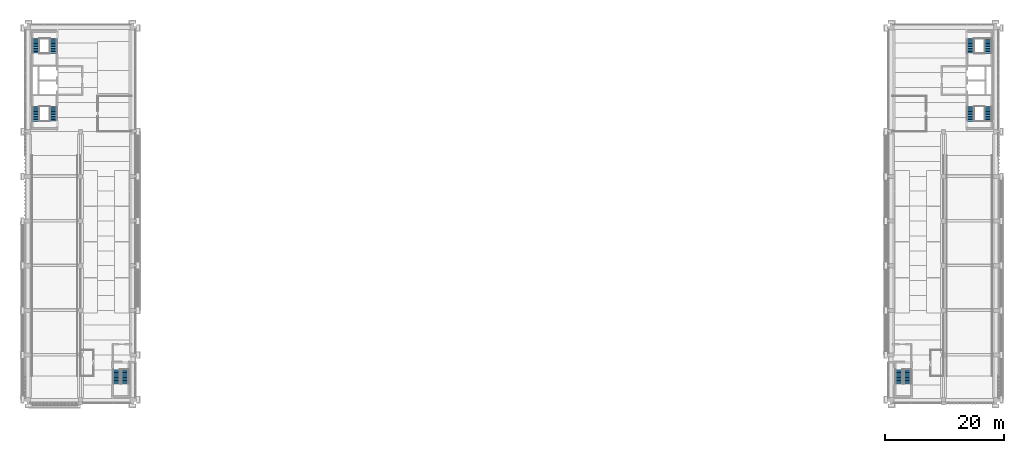
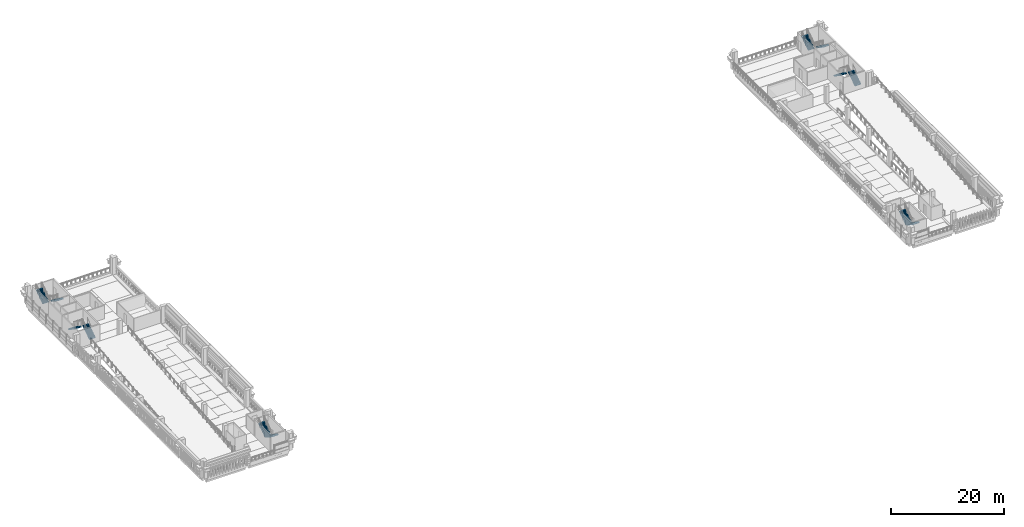
# One storey, part 11 of 25: 12 stair flights, 6 elements without a shape of their own.
"""IFC4 building model written with IfcOpenShell, lengths in metres."""

from ifc_helpers import new_model, si_unit, direction, frame, origin, place, context, subcontext, project, spatial, polyline, outline, extrude, material, type_object, element, aggregate, save


model = new_model("IFC4")

# Units and contexts
model_context = context("Model", 3, precision=1e-05, world=origin(), true_north=direction((0.0, 1.0)))
body_context = subcontext(model_context, "Body", "Model", "MODEL_VIEW")
ifc_project = project(units=[si_unit("LENGTHUNIT", "METRE"), si_unit("AREAUNIT", "SQUARE_METRE"), si_unit("VOLUMEUNIT", "CUBIC_METRE"), si_unit("PLANEANGLEUNIT", "RADIAN"), si_unit("MASSUNIT", "GRAM", prefix="KILO")], contexts=[model_context])

# Site, building, storey
site_placement = place(None, origin())
site = spatial("IfcSite", under=ifc_project, at=site_placement, CompositionType="ELEMENT")
building_placement = place(site_placement, origin())
building = spatial("IfcBuilding", under=site, at=building_placement, Name="Cour d'Honneur Mobility Palace", CompositionType="ELEMENT")
storey_placement = place(building_placement, frame((0.0, 0.0, 30.39990234375)))
storey = spatial("IfcBuildingStorey", under=building, at=storey_placement, Name="L08", CompositionType="ELEMENT", Elevation=30.39990234375)

# Stair, stair flights
ifc_material_1 = material(Name="Concrete C50", Category="concrete")
stair_type = type_object("IfcStairType", Name="Stair 20 risers", PredefinedType="HALF_TURN_STAIR", material=ifc_material_1)
stair_1_placement = place(storey_placement, origin())
stair_1 = element("IfcStair", 1, at=stair_1_placement, inside=storey, type_object=stair_type, Name="Stair ST-CW1", PredefinedType="HALF_TURN_STAIR")
ifc_material_2 = material(Name="Concrete C50", Category="concrete")
stair_flight_type = type_object("IfcStairFlightType", Name="Stair flight 1250", PredefinedType="STRAIGHT", material=ifc_material_2)
stair_flight_1_placement = place(storey_placement, frame((4.175048828125, 46.77490234375, 0.0), z_axis=(0.0, 0.0, 1.0), x_axis=(0.0, 1.0, 0.0)))
stair_flight_1 = element("IfcStairFlight", 2, at=stair_flight_1_placement, type_object=stair_flight_type, Name="ST-CW1 flight 1", NumberOfRisers=10, NumberOfTreads=9, PredefinedType="STRAIGHT", RiserHeight=0.185, TreadLength=0.27, context=body_context, shape_type="SweptSolid", body=[
    extrude(outline(polyline([(0.0, 0.0), (0.0, 0.18505859375), (0.27001953125, 0.18505859375), (0.27001953125, 0.3701171875), (0.5400390625, 0.3701171875), (0.5400390625, 0.554931640625), (0.81005859375, 0.554931640625), (0.81005859375, 0.739990234375), (1.080078125, 0.739990234375), (1.080078125, 0.925048828125), (1.35009765625, 0.925048828125), (1.35009765625, 1.110107421875), (1.6201171875, 1.110107421875), (1.6201171875, 1.294921875), (1.889892578125, 1.294921875), (1.889892578125, 1.47998046875), (2.159912109375, 1.47998046875), (2.159912109375, 1.6650390625), (2.429931640625, 1.6650390625), (2.47998046875, 1.6650390625), (2.47998046875, 1.4833984375), (0.26513671875, 0.0), (0.0, 0.0)])), frame((0.0, 0.625, 0.0), z_axis=(0.0, -1.0, 0.0), x_axis=(1.0, 0.0, 0.0)), (0.0, 0.0, 1.0), 1.25),
])
stair_flight_2_placement = place(storey_placement, frame((1.199951171875, 49.205078125, 1.85009765625), z_axis=(0.0, 0.0, 1.0), x_axis=(0.0, -1.0, 0.0)))
stair_flight_2 = element("IfcStairFlight", 3, at=stair_flight_2_placement, type_object=stair_flight_type, Name="ST-CW1 flight 2", NumberOfRisers=10, NumberOfTreads=9, PredefinedType="STRAIGHT", RiserHeight=0.185, TreadLength=0.27, context=body_context, shape_type="SweptSolid", body=[
    extrude(outline(polyline([(0.0, 0.0), (0.0, 0.18505859375), (0.27001953125, 0.18505859375), (0.27001953125, 0.3701171875), (0.5400390625, 0.3701171875), (0.5400390625, 0.554931640625), (0.81005859375, 0.554931640625), (0.81005859375, 0.739990234375), (1.080078125, 0.739990234375), (1.080078125, 0.925048828125), (1.35009765625, 0.925048828125), (1.35009765625, 1.110107421875), (1.6201171875, 1.110107421875), (1.6201171875, 1.294921875), (1.889892578125, 1.294921875), (1.889892578125, 1.47998046875), (2.159912109375, 1.47998046875), (2.159912109375, 1.6650390625), (2.429931640625, 1.6650390625), (2.47998046875, 1.6650390625), (2.47998046875, 1.4833984375), (0.26513671875, 0.0), (0.0, 0.0)])), frame((0.0, 0.625, 0.0), z_axis=(0.0, -1.0, 0.0), x_axis=(1.0, 0.0, 0.0)), (0.0, 0.0, 1.0), 1.25),
])
aggregate(stair_1, [stair_flight_1, stair_flight_2])

stair_2_placement = place(storey_placement, origin())
stair_2 = element("IfcStair", 4, at=stair_2_placement, inside=storey, type_object=stair_type, Name="Stair ST-CW2", PredefinedType="HALF_TURN_STAIR")
stair_flight_3_placement = place(storey_placement, frame((4.175048828125, 60.625, 0.0), z_axis=(0.0, 0.0, 1.0), x_axis=(0.0, -1.0, 0.0)))
stair_flight_3 = element("IfcStairFlight", 5, at=stair_flight_3_placement, type_object=stair_flight_type, Name="ST-CW2 flight 1", NumberOfRisers=10, NumberOfTreads=9, PredefinedType="STRAIGHT", RiserHeight=0.185, TreadLength=0.27, context=body_context, shape_type="SweptSolid", body=[
    extrude(outline(polyline([(0.0, 0.0), (0.0, 0.18505859375), (0.27001953125, 0.18505859375), (0.27001953125, 0.3701171875), (0.5400390625, 0.3701171875), (0.5400390625, 0.554931640625), (0.81005859375, 0.554931640625), (0.81005859375, 0.739990234375), (1.080078125, 0.739990234375), (1.080078125, 0.925048828125), (1.35009765625, 0.925048828125), (1.35009765625, 1.110107421875), (1.6201171875, 1.110107421875), (1.6201171875, 1.294921875), (1.889892578125, 1.294921875), (1.889892578125, 1.47998046875), (2.159912109375, 1.47998046875), (2.159912109375, 1.6650390625), (2.429931640625, 1.6650390625), (2.47998046875, 1.6650390625), (2.47998046875, 1.4833984375), (0.26513671875, 0.0), (0.0, 0.0)])), frame((0.0, 0.625, 0.0), z_axis=(0.0, -1.0, 0.0), x_axis=(1.0, 0.0, 0.0)), (0.0, 0.0, 1.0), 1.25),
])
stair_flight_4_placement = place(storey_placement, frame((1.199951171875, 58.195068359375, 1.85009765625), z_axis=(0.0, 0.0, 1.0), x_axis=(0.0, 1.0, 0.0)))
stair_flight_4 = element("IfcStairFlight", 6, at=stair_flight_4_placement, type_object=stair_flight_type, Name="ST-CW2 flight 2", NumberOfRisers=10, NumberOfTreads=9, PredefinedType="STRAIGHT", RiserHeight=0.185, TreadLength=0.27, context=body_context, shape_type="SweptSolid", body=[
    extrude(outline(polyline([(0.0, 0.0), (0.0, 0.18505859375), (0.27001953125, 0.18505859375), (0.27001953125, 0.3701171875), (0.5400390625, 0.3701171875), (0.5400390625, 0.554931640625), (0.81005859375, 0.554931640625), (0.81005859375, 0.739990234375), (1.080078125, 0.739990234375), (1.080078125, 0.925048828125), (1.35009765625, 0.925048828125), (1.35009765625, 1.110107421875), (1.6201171875, 1.110107421875), (1.6201171875, 1.294921875), (1.889892578125, 1.294921875), (1.889892578125, 1.47998046875), (2.159912109375, 1.47998046875), (2.159912109375, 1.6650390625), (2.429931640625, 1.6650390625), (2.47998046875, 1.6650390625), (2.47998046875, 1.4833984375), (0.26513671875, 0.0), (0.0, 0.0)])), frame((0.0, 0.625, 0.0), z_axis=(0.0, -1.0, 0.0), x_axis=(1.0, 0.0, 0.0)), (0.0, 0.0, 1.0), 1.25),
])
aggregate(stair_2, [stair_flight_3, stair_flight_4])

stair_3_placement = place(storey_placement, origin())
stair_3 = element("IfcStair", 7, at=stair_3_placement, inside=storey, type_object=stair_type, Name="Stair ST-CE1", PredefinedType="HALF_TURN_STAIR")
stair_flight_5_placement = place(storey_placement, frame((161.10009765625, 46.77490234375, 0.0), z_axis=(0.0, 0.0, 1.0), x_axis=(0.0, 1.0, 0.0)))
stair_flight_5 = element("IfcStairFlight", 8, at=stair_flight_5_placement, type_object=stair_flight_type, Name="ST-CE1 flight 1", NumberOfRisers=10, NumberOfTreads=9, PredefinedType="STRAIGHT", RiserHeight=0.185, TreadLength=0.27, context=body_context, shape_type="SweptSolid", body=[
    extrude(outline(polyline([(0.0, 0.0), (0.0, 0.18505859375), (0.27001953125, 0.18505859375), (0.27001953125, 0.3701171875), (0.5400390625, 0.3701171875), (0.5400390625, 0.554931640625), (0.81005859375, 0.554931640625), (0.81005859375, 0.739990234375), (1.080078125, 0.739990234375), (1.080078125, 0.925048828125), (1.35009765625, 0.925048828125), (1.35009765625, 1.110107421875), (1.6201171875, 1.110107421875), (1.6201171875, 1.294921875), (1.889892578125, 1.294921875), (1.889892578125, 1.47998046875), (2.159912109375, 1.47998046875), (2.159912109375, 1.6650390625), (2.429931640625, 1.6650390625), (2.47998046875, 1.6650390625), (2.47998046875, 1.4833984375), (0.26513671875, 0.0), (0.0, 0.0)])), frame((0.0, 0.625, 0.0), z_axis=(0.0, -1.0, 0.0), x_axis=(1.0, 0.0, 0.0)), (0.0, 0.0, 1.0), 1.25),
])
stair_flight_6_placement = place(storey_placement, frame((158.125, 49.205078125, 1.85009765625), z_axis=(0.0, 0.0, 1.0), x_axis=(0.0, -1.0, 0.0)))
stair_flight_6 = element("IfcStairFlight", 9, at=stair_flight_6_placement, type_object=stair_flight_type, Name="ST-CE1 flight 2", NumberOfRisers=10, NumberOfTreads=9, PredefinedType="STRAIGHT", RiserHeight=0.185, TreadLength=0.27, context=body_context, shape_type="SweptSolid", body=[
    extrude(outline(polyline([(0.0, 0.0), (0.0, 0.18505859375), (0.27001953125, 0.18505859375), (0.27001953125, 0.3701171875), (0.5400390625, 0.3701171875), (0.5400390625, 0.554931640625), (0.81005859375, 0.554931640625), (0.81005859375, 0.739990234375), (1.080078125, 0.739990234375), (1.080078125, 0.925048828125), (1.35009765625, 0.925048828125), (1.35009765625, 1.110107421875), (1.6201171875, 1.110107421875), (1.6201171875, 1.294921875), (1.889892578125, 1.294921875), (1.889892578125, 1.47998046875), (2.159912109375, 1.47998046875), (2.159912109375, 1.6650390625), (2.429931640625, 1.6650390625), (2.47998046875, 1.6650390625), (2.47998046875, 1.4833984375), (0.26513671875, 0.0), (0.0, 0.0)])), frame((0.0, 0.625, 0.0), z_axis=(0.0, -1.0, 0.0), x_axis=(1.0, 0.0, 0.0)), (0.0, 0.0, 1.0), 1.25),
])
aggregate(stair_3, [stair_flight_5, stair_flight_6])

stair_4_placement = place(storey_placement, origin())
stair_4 = element("IfcStair", 10, at=stair_4_placement, inside=storey, type_object=stair_type, Name="Stair ST-CE2", PredefinedType="HALF_TURN_STAIR")
stair_flight_7_placement = place(storey_placement, frame((161.10009765625, 60.625, 0.0), z_axis=(0.0, 0.0, 1.0), x_axis=(0.0, -1.0, 0.0)))
stair_flight_7 = element("IfcStairFlight", 11, at=stair_flight_7_placement, type_object=stair_flight_type, Name="ST-CE2 flight 1", NumberOfRisers=10, NumberOfTreads=9, PredefinedType="STRAIGHT", RiserHeight=0.185, TreadLength=0.27, context=body_context, shape_type="SweptSolid", body=[
    extrude(outline(polyline([(0.0, 0.0), (0.0, 0.18505859375), (0.27001953125, 0.18505859375), (0.27001953125, 0.3701171875), (0.5400390625, 0.3701171875), (0.5400390625, 0.554931640625), (0.81005859375, 0.554931640625), (0.81005859375, 0.739990234375), (1.080078125, 0.739990234375), (1.080078125, 0.925048828125), (1.35009765625, 0.925048828125), (1.35009765625, 1.110107421875), (1.6201171875, 1.110107421875), (1.6201171875, 1.294921875), (1.889892578125, 1.294921875), (1.889892578125, 1.47998046875), (2.159912109375, 1.47998046875), (2.159912109375, 1.6650390625), (2.429931640625, 1.6650390625), (2.47998046875, 1.6650390625), (2.47998046875, 1.4833984375), (0.26513671875, 0.0), (0.0, 0.0)])), frame((0.0, 0.625, 0.0), z_axis=(0.0, -1.0, 0.0), x_axis=(1.0, 0.0, 0.0)), (0.0, 0.0, 1.0), 1.25),
])
stair_flight_8_placement = place(storey_placement, frame((158.125, 58.195068359375, 1.85009765625), z_axis=(0.0, 0.0, 1.0), x_axis=(0.0, 1.0, 0.0)))
stair_flight_8 = element("IfcStairFlight", 12, at=stair_flight_8_placement, type_object=stair_flight_type, Name="ST-CE2 flight 2", NumberOfRisers=10, NumberOfTreads=9, PredefinedType="STRAIGHT", RiserHeight=0.185, TreadLength=0.27, context=body_context, shape_type="SweptSolid", body=[
    extrude(outline(polyline([(0.0, 0.0), (0.0, 0.18505859375), (0.27001953125, 0.18505859375), (0.27001953125, 0.3701171875), (0.5400390625, 0.3701171875), (0.5400390625, 0.554931640625), (0.81005859375, 0.554931640625), (0.81005859375, 0.739990234375), (1.080078125, 0.739990234375), (1.080078125, 0.925048828125), (1.35009765625, 0.925048828125), (1.35009765625, 1.110107421875), (1.6201171875, 1.110107421875), (1.6201171875, 1.294921875), (1.889892578125, 1.294921875), (1.889892578125, 1.47998046875), (2.159912109375, 1.47998046875), (2.159912109375, 1.6650390625), (2.429931640625, 1.6650390625), (2.47998046875, 1.6650390625), (2.47998046875, 1.4833984375), (0.26513671875, 0.0), (0.0, 0.0)])), frame((0.0, 0.625, 0.0), z_axis=(0.0, -1.0, 0.0), x_axis=(1.0, 0.0, 0.0)), (0.0, 0.0, 1.0), 1.25),
])
aggregate(stair_4, [stair_flight_7, stair_flight_8])

stair_5_placement = place(storey_placement, origin())
stair_5 = element("IfcStair", 13, at=stair_5_placement, inside=storey, type_object=stair_type, Name="Stair ST-RW1", PredefinedType="HALF_TURN_STAIR")
stair_flight_9_placement = place(storey_placement, frame((16.199951171875, 5.10009765625, 0.0), z_axis=(0.0, 0.0, 1.0), x_axis=(0.0, -1.0, 0.0)))
stair_flight_9 = element("IfcStairFlight", 14, at=stair_flight_9_placement, type_object=stair_flight_type, Name="ST-RW1 flight 1", NumberOfRisers=10, NumberOfTreads=9, PredefinedType="STRAIGHT", RiserHeight=0.185, TreadLength=0.27, context=body_context, shape_type="SweptSolid", body=[
    extrude(outline(polyline([(0.0, 0.0), (0.0, 0.18505859375), (0.27001953125, 0.18505859375), (0.27001953125, 0.3701171875), (0.5400390625, 0.3701171875), (0.5400390625, 0.554931640625), (0.81005859375, 0.554931640625), (0.81005859375, 0.739990234375), (1.080078125, 0.739990234375), (1.080078125, 0.925048828125), (1.35009765625, 0.925048828125), (1.35009765625, 1.110107421875), (1.6201171875, 1.110107421875), (1.6201171875, 1.294921875), (1.889892578125, 1.294921875), (1.889892578125, 1.47998046875), (2.159912109375, 1.47998046875), (2.159912109375, 1.6650390625), (2.429931640625, 1.6650390625), (2.47998046875, 1.6650390625), (2.47998046875, 1.4833984375), (0.26513671875, 0.0), (0.0, 0.0)])), frame((0.0, 0.625, 0.0), z_axis=(0.0, -1.0, 0.0), x_axis=(1.0, 0.0, 0.0)), (0.0, 0.0, 1.0), 1.25),
])
stair_flight_10_placement = place(storey_placement, frame((14.72509765625, 2.669921875, 1.85009765625), z_axis=(0.0, 0.0, 1.0), x_axis=(0.0, 1.0, 0.0)))
stair_flight_10 = element("IfcStairFlight", 15, at=stair_flight_10_placement, type_object=stair_flight_type, Name="ST-RW1 flight 2", NumberOfRisers=10, NumberOfTreads=9, PredefinedType="STRAIGHT", RiserHeight=0.185, TreadLength=0.27, context=body_context, shape_type="SweptSolid", body=[
    extrude(outline(polyline([(0.0, 0.0), (0.0, 0.18505859375), (0.27001953125, 0.18505859375), (0.27001953125, 0.3701171875), (0.5400390625, 0.3701171875), (0.5400390625, 0.554931640625), (0.81005859375, 0.554931640625), (0.81005859375, 0.739990234375), (1.080078125, 0.739990234375), (1.080078125, 0.925048828125), (1.35009765625, 0.925048828125), (1.35009765625, 1.110107421875), (1.6201171875, 1.110107421875), (1.6201171875, 1.294921875), (1.889892578125, 1.294921875), (1.889892578125, 1.47998046875), (2.159912109375, 1.47998046875), (2.159912109375, 1.6650390625), (2.429931640625, 1.6650390625), (2.47998046875, 1.6650390625), (2.47998046875, 1.4833984375), (0.26513671875, 0.0), (0.0, 0.0)])), frame((0.0, 0.625, 0.0), z_axis=(0.0, -1.0, 0.0), x_axis=(1.0, 0.0, 0.0)), (0.0, 0.0, 1.0), 1.25),
])
aggregate(stair_5, [stair_flight_9, stair_flight_10])

stair_6_placement = place(storey_placement, origin())
stair_6 = element("IfcStair", 16, at=stair_6_placement, inside=storey, type_object=stair_type, Name="Stair ST-RE1", PredefinedType="HALF_TURN_STAIR")
stair_flight_11_placement = place(storey_placement, frame((147.574951171875, 5.10009765625, 0.0), z_axis=(0.0, 0.0, 1.0), x_axis=(0.0, -1.0, 0.0)))
stair_flight_11 = element("IfcStairFlight", 17, at=stair_flight_11_placement, type_object=stair_flight_type, Name="ST-RE1 flight 1", NumberOfRisers=10, NumberOfTreads=9, PredefinedType="STRAIGHT", RiserHeight=0.185, TreadLength=0.27, context=body_context, shape_type="SweptSolid", body=[
    extrude(outline(polyline([(0.0, 0.0), (0.0, 0.18505859375), (0.27001953125, 0.18505859375), (0.27001953125, 0.3701171875), (0.5400390625, 0.3701171875), (0.5400390625, 0.554931640625), (0.81005859375, 0.554931640625), (0.81005859375, 0.739990234375), (1.080078125, 0.739990234375), (1.080078125, 0.925048828125), (1.35009765625, 0.925048828125), (1.35009765625, 1.110107421875), (1.6201171875, 1.110107421875), (1.6201171875, 1.294921875), (1.889892578125, 1.294921875), (1.889892578125, 1.47998046875), (2.159912109375, 1.47998046875), (2.159912109375, 1.6650390625), (2.429931640625, 1.6650390625), (2.47998046875, 1.6650390625), (2.47998046875, 1.4833984375), (0.26513671875, 0.0), (0.0, 0.0)])), frame((0.0, 0.625, 0.0), z_axis=(0.0, -1.0, 0.0), x_axis=(1.0, 0.0, 0.0)), (0.0, 0.0, 1.0), 1.25),
])
stair_flight_12_placement = place(storey_placement, frame((146.10009765625, 2.669921875, 1.85009765625), z_axis=(0.0, 0.0, 1.0), x_axis=(0.0, 1.0, 0.0)))
stair_flight_12 = element("IfcStairFlight", 18, at=stair_flight_12_placement, type_object=stair_flight_type, Name="ST-RE1 flight 2", NumberOfRisers=10, NumberOfTreads=9, PredefinedType="STRAIGHT", RiserHeight=0.185, TreadLength=0.27, context=body_context, shape_type="SweptSolid", body=[
    extrude(outline(polyline([(0.0, 0.0), (0.0, 0.18505859375), (0.27001953125, 0.18505859375), (0.27001953125, 0.3701171875), (0.5400390625, 0.3701171875), (0.5400390625, 0.554931640625), (0.81005859375, 0.554931640625), (0.81005859375, 0.739990234375), (1.080078125, 0.739990234375), (1.080078125, 0.925048828125), (1.35009765625, 0.925048828125), (1.35009765625, 1.110107421875), (1.6201171875, 1.110107421875), (1.6201171875, 1.294921875), (1.889892578125, 1.294921875), (1.889892578125, 1.47998046875), (2.159912109375, 1.47998046875), (2.159912109375, 1.6650390625), (2.429931640625, 1.6650390625), (2.47998046875, 1.6650390625), (2.47998046875, 1.4833984375), (0.26513671875, 0.0), (0.0, 0.0)])), frame((0.0, 0.625, 0.0), z_axis=(0.0, -1.0, 0.0), x_axis=(1.0, 0.0, 0.0)), (0.0, 0.0, 1.0), 1.25),
])
aggregate(stair_6, [stair_flight_11, stair_flight_12])

save(model, "model.ifc")
